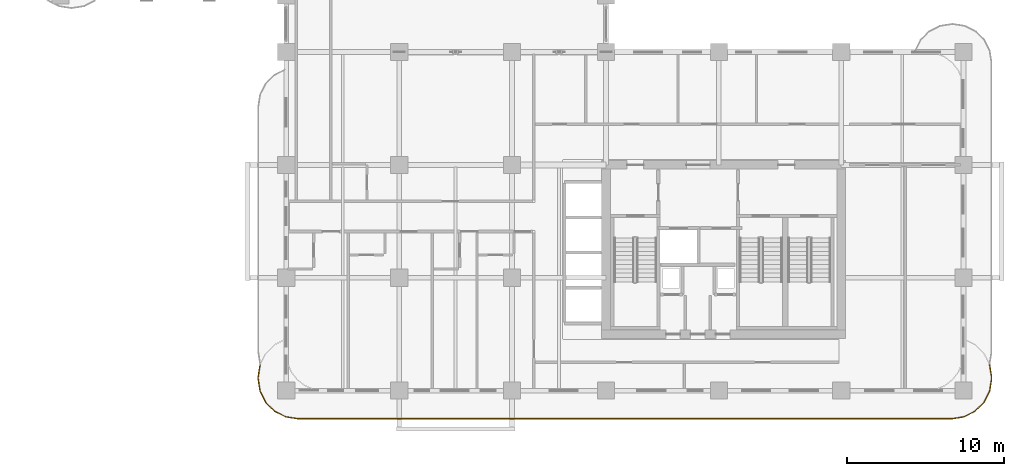
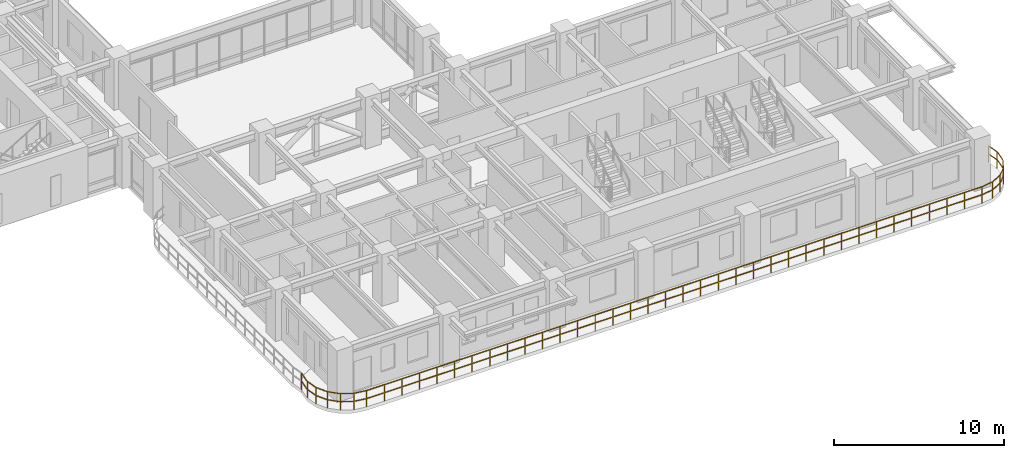
# One storey, part 18 of 21: 1 railing.
"""IFC4 building model written with IfcOpenShell, lengths in metres."""

from ifc_helpers import new_model, si_unit, derived_unit, direction, frame, origin, origin_2d, place, context, subcontext, project, spatial, rectangle, extrude, material, type_object, element, save


model = new_model("IFC4")

# Units and contexts
model_context = context("Model", 3, precision=1e-05, world=origin(), true_north=direction((0.0, 1.0)))
body_context = subcontext(model_context, "Body", "Model", "MODEL_VIEW")
ifc_project = project(units=[si_unit("LENGTHUNIT", "METRE"), si_unit("AREAUNIT", "SQUARE_METRE"), si_unit("VOLUMEUNIT", "CUBIC_METRE"), si_unit("PLANEANGLEUNIT", "RADIAN"), si_unit("MASSUNIT", "GRAM", prefix="KILO"), si_unit("THERMODYNAMICTEMPERATUREUNIT", "KELVIN"), si_unit("POWERUNIT", "WATT"), derived_unit("THERMALTRANSMITTANCEUNIT", [(si_unit("POWERUNIT", "WATT"), 1), (si_unit("AREAUNIT", "SQUARE_METRE"), -1), (si_unit("THERMODYNAMICTEMPERATUREUNIT", "KELVIN"), -1)])], contexts=[model_context])

# Site, building, storey
site_placement = place(None, origin())
site = spatial("IfcSite", under=ifc_project, at=site_placement, CompositionType="ELEMENT")
building_placement = place(site_placement, origin())
building = spatial("IfcBuilding", under=site, at=building_placement, Name="Zahravan Archway Hotel and Residences", CompositionType="ELEMENT")
storey_placement = place(building_placement, frame((0.0, 0.0, 65.699951171875)))
storey = spatial("IfcBuildingStorey", under=building, at=storey_placement, Name="L15", CompositionType="ELEMENT", Elevation=65.699951171875)

# Railing
ifc_material = material(Name="Bronze & Laminated Glass Balustrade", Category="glass")
railing_type = type_object("IfcRailingType", Name="RL-BAL-1200", PredefinedType="BALUSTRADE", material=ifc_material)
railing_placement = place(storey_placement, frame((59.275146484375, 1.637939453125, 0.0)))
element("IfcRailing", 1, at=railing_placement, inside=storey, type_object=railing_type, Name="L15 Balustrade RL-SLB-BAL-L15-SA-1", PredefinedType="BALUSTRADE", context=body_context, shape_type="SweptSolid", body=[
    extrude(rectangle(XDim=0.048095703125, YDim=0.048095703125, at=origin_2d()), frame((0.0, 0.0, 1.17578125), z_axis=(0.156402639467, -0.987693380745, 0.0), x_axis=(0.987693380745, 0.156402639467, 0.0)), (0.0, 0.0, 1.0), 0.797607421875),
    extrude(rectangle(XDim=0.048095703125, YDim=0.048095703125, at=origin_2d()), frame((0.0, 0.0, 0.60009765625), z_axis=(0.156402639467, -0.987693380745, 0.0), x_axis=(0.987693380745, 0.156402639467, 0.0)), (0.0, 0.0, 1.0), 0.797607421875),
    extrude(rectangle(XDim=0.048095703125, YDim=0.048095703125, at=origin_2d()), frame((0.124755859375, -0.787841796875, 1.17578125), z_axis=(0.0, -1.0, 0.0), x_axis=(1.0, 0.0, 0.0)), (0.0, 0.0, 1.0), 0.10009765625),
    extrude(rectangle(XDim=0.048095703125, YDim=0.048095703125, at=origin_2d()), frame((0.124755859375, -0.787841796875, 0.60009765625), z_axis=(0.0, -1.0, 0.0), x_axis=(1.0, 0.0, 0.0)), (0.0, 0.0, 1.0), 0.10009765625),
    extrude(rectangle(XDim=0.048095703125, YDim=0.048095703125, at=origin_2d()), frame((0.124755859375, -0.887939453125, 1.17578125), z_axis=(-0.156355372278, -0.987700864412, 0.0), x_axis=(0.987700864412, -0.156355372278, 0.0)), (0.0, 0.0, 1.0), 0.7978515625),
    extrude(rectangle(XDim=0.048095703125, YDim=0.048095703125, at=origin_2d()), frame((0.124755859375, -0.887939453125, 0.60009765625), z_axis=(-0.156355372278, -0.987700864412, 0.0), x_axis=(0.987700864412, -0.156355372278, 0.0)), (0.0, 0.0, 1.0), 0.7978515625),
    extrude(rectangle(XDim=0.048095703125, YDim=0.048095703125, at=origin_2d()), frame((0.0, -1.676025390625, 1.17578125), z_axis=(-0.453934952053, -0.891034824967, 0.0), x_axis=(0.891034824967, -0.453934952053, 0.0)), (0.0, 0.0, 1.0), 0.797607421875),
    extrude(rectangle(XDim=0.048095703125, YDim=0.048095703125, at=origin_2d()), frame((0.0, -1.676025390625, 0.60009765625), z_axis=(-0.453934952053, -0.891034824967, 0.0), x_axis=(0.891034824967, -0.453934952053, 0.0)), (0.0, 0.0, 1.0), 0.797607421875),
    extrude(rectangle(XDim=0.048095703125, YDim=0.048095703125, at=origin_2d()), frame((-0.362060546875, -2.38671875, 1.17578125), z_axis=(-0.707106781187, -0.707106781187, 0.0), x_axis=(0.707106781187, -0.707106781187, 0.0)), (0.0, 0.0, 1.0), 0.7978515625),
    extrude(rectangle(XDim=0.048095703125, YDim=0.048095703125, at=origin_2d()), frame((-0.362060546875, -2.38671875, 0.60009765625), z_axis=(-0.707106781187, -0.707106781187, 0.0), x_axis=(0.707106781187, -0.707106781187, 0.0)), (0.0, 0.0, 1.0), 0.7978515625),
    extrude(rectangle(XDim=0.048095703125, YDim=0.048095703125, at=origin_2d()), frame((-0.92626953125, -2.950927734375, 1.17578125), z_axis=(-0.890974108706, -0.454054113091, 0.0), x_axis=(0.454054113091, -0.890974108706, 0.0)), (0.0, 0.0, 1.0), 0.7978515625),
    extrude(rectangle(XDim=0.048095703125, YDim=0.048095703125, at=origin_2d()), frame((-0.92626953125, -2.950927734375, 0.60009765625), z_axis=(-0.890974108706, -0.454054113091, 0.0), x_axis=(0.454054113091, -0.890974108706, 0.0)), (0.0, 0.0, 1.0), 0.7978515625),
    extrude(rectangle(XDim=0.048095703125, YDim=0.048095703125, at=origin_2d()), frame((-1.63720703125, -3.313232421875, 1.17578125), z_axis=(-0.987693380745, -0.156402639467, 0.0), x_axis=(0.156402639467, -0.987693380745, 0.0)), (0.0, 0.0, 1.0), 0.797607421875),
    extrude(rectangle(XDim=0.048095703125, YDim=0.048095703125, at=origin_2d()), frame((-1.63720703125, -3.313232421875, 0.60009765625), z_axis=(-0.987693380745, -0.156402639467, 0.0), x_axis=(0.156402639467, -0.987693380745, 0.0)), (0.0, 0.0, 1.0), 0.797607421875),
    extrude(rectangle(XDim=0.048095703125, YDim=0.048095703125, at=origin_2d()), frame((-2.425048828125, -3.43798828125, 1.17578125), z_axis=(-1.0, 0.0, 0.0), x_axis=(0.0, -1.0, 0.0)), (0.0, 0.0, 1.0), 41.7001953125),
    extrude(rectangle(XDim=0.048095703125, YDim=0.048095703125, at=origin_2d()), frame((-2.425048828125, -3.43798828125, 0.60009765625), z_axis=(-1.0, 0.0, 0.0), x_axis=(0.0, -1.0, 0.0)), (0.0, 0.0, 1.0), 41.7001953125),
    extrude(rectangle(XDim=0.048095703125, YDim=0.048095703125, at=origin_2d()), frame((-44.125244140625, -3.43798828125, 1.17578125), z_axis=(-0.987693380745, 0.156402639467, 0.0), x_axis=(-0.156402639467, -0.987693380745, 0.0)), (0.0, 0.0, 1.0), 0.797607421875),
    extrude(rectangle(XDim=0.048095703125, YDim=0.048095703125, at=origin_2d()), frame((-44.125244140625, -3.43798828125, 0.60009765625), z_axis=(-0.987693380745, 0.156402639467, 0.0), x_axis=(-0.156402639467, -0.987693380745, 0.0)), (0.0, 0.0, 1.0), 0.797607421875),
    extrude(rectangle(XDim=0.048095703125, YDim=0.048095703125, at=origin_2d()), frame((-44.9130859375, -3.313232421875, 1.17578125), z_axis=(-0.890974108706, 0.454054113091, 0.0), x_axis=(-0.454054113091, -0.890974108706, 0.0)), (0.0, 0.0, 1.0), 0.7978515625),
    extrude(rectangle(XDim=0.048095703125, YDim=0.048095703125, at=origin_2d()), frame((-44.9130859375, -3.313232421875, 0.60009765625), z_axis=(-0.890974108706, 0.454054113091, 0.0), x_axis=(-0.454054113091, -0.890974108706, 0.0)), (0.0, 0.0, 1.0), 0.7978515625),
    extrude(rectangle(XDim=0.048095703125, YDim=0.048095703125, at=origin_2d()), frame((-45.6240234375, -2.950927734375, 1.17578125), z_axis=(-0.707106781187, 0.707106781187, 0.0), x_axis=(-0.707106781187, -0.707106781187, 0.0)), (0.0, 0.0, 1.0), 0.7978515625),
    extrude(rectangle(XDim=0.048095703125, YDim=0.048095703125, at=origin_2d()), frame((-45.6240234375, -2.950927734375, 0.60009765625), z_axis=(-0.707106781187, 0.707106781187, 0.0), x_axis=(-0.707106781187, -0.707106781187, 0.0)), (0.0, 0.0, 1.0), 0.7978515625),
    extrude(rectangle(XDim=0.048095703125, YDim=0.048095703125, at=origin_2d()), frame((-46.188232421875, -2.38671875, 1.17578125), z_axis=(-0.453934952053, 0.891034824967, 0.0), x_axis=(-0.891034824967, -0.453934952053, 0.0)), (0.0, 0.0, 1.0), 0.797607421875),
    extrude(rectangle(XDim=0.048095703125, YDim=0.048095703125, at=origin_2d()), frame((-46.188232421875, -2.38671875, 0.60009765625), z_axis=(-0.453934952053, 0.891034824967, 0.0), x_axis=(-0.891034824967, -0.453934952053, 0.0)), (0.0, 0.0, 1.0), 0.797607421875),
    extrude(rectangle(XDim=0.048095703125, YDim=0.048095703125, at=origin_2d()), frame((-46.55029296875, -1.676025390625, 1.17578125), z_axis=(-0.156355372278, 0.987700864412, 0.0), x_axis=(-0.987700864412, -0.156355372278, 0.0)), (0.0, 0.0, 1.0), 0.7978515625),
    extrude(rectangle(XDim=0.048095703125, YDim=0.048095703125, at=origin_2d()), frame((-46.55029296875, -1.676025390625, 0.60009765625), z_axis=(-0.156355372278, 0.987700864412, 0.0), x_axis=(-0.987700864412, -0.156355372278, 0.0)), (0.0, 0.0, 1.0), 0.7978515625),
    extrude(rectangle(XDim=0.048095703125, YDim=0.048095703125, at=origin_2d()), frame((-46.675048828125, -0.887939453125, 1.17578125), z_axis=(0.0, 1.0, 0.0), x_axis=(-1.0, 0.0, 0.0)), (0.0, 0.0, 1.0), 0.10009765625),
    extrude(rectangle(XDim=0.048095703125, YDim=0.048095703125, at=origin_2d()), frame((-46.675048828125, -0.887939453125, 0.60009765625), z_axis=(0.0, 1.0, 0.0), x_axis=(-1.0, 0.0, 0.0)), (0.0, 0.0, 1.0), 0.10009765625),
    extrude(rectangle(XDim=0.048095703125, YDim=0.048095703125, at=origin_2d()), frame((-46.675048828125, -0.787841796875, 1.17578125), z_axis=(0.156402639467, 0.987693380745, 0.0), x_axis=(-0.987693380745, 0.156402639467, 0.0)), (0.0, 0.0, 1.0), 0.797607421875),
    extrude(rectangle(XDim=0.048095703125, YDim=0.048095703125, at=origin_2d()), frame((-46.675048828125, -0.787841796875, 0.60009765625), z_axis=(0.156402639467, 0.987693380745, 0.0), x_axis=(-0.987693380745, 0.156402639467, 0.0)), (0.0, 0.0, 1.0), 0.797607421875),
    extrude(rectangle(XDim=0.0419921875, YDim=0.0419921875, at=origin_2d()), origin(), (0.0, 0.0, 1.0), 1.15185546875),
    extrude(rectangle(XDim=0.0419921875, YDim=0.0419921875, at=origin_2d()), frame((0.124755859375, -0.787841796875, 0.0)), (0.0, 0.0, 1.0), 1.15185546875),
    extrude(rectangle(XDim=0.0419921875, YDim=0.0419921875, at=origin_2d()), frame((0.0, -1.676025390625, 0.0)), (0.0, 0.0, 1.0), 1.15185546875),
    extrude(rectangle(XDim=0.0419921875, YDim=0.0419921875, at=origin_2d()), frame((-0.362060546875, -2.38671875, 0.0)), (0.0, 0.0, 1.0), 1.15185546875),
    extrude(rectangle(XDim=0.0419921875, YDim=0.0419921875, at=origin_2d()), frame((-0.92626953125, -2.950927734375, 0.0)), (0.0, 0.0, 1.0), 1.15185546875),
    extrude(rectangle(XDim=0.0419921875, YDim=0.0419921875, at=origin_2d()), frame((-1.63720703125, -3.313232421875, 0.0)), (0.0, 0.0, 1.0), 1.15185546875),
    extrude(rectangle(XDim=0.0419921875, YDim=0.0419921875, at=origin_2d()), frame((-2.425048828125, -3.43798828125, 0.0)), (0.0, 0.0, 1.0), 1.15185546875),
    extrude(rectangle(XDim=0.0419921875, YDim=0.0419921875, at=origin_2d()), frame((-3.616455078125, -3.43798828125, 0.0)), (0.0, 0.0, 1.0), 1.15185546875),
    extrude(rectangle(XDim=0.0419921875, YDim=0.0419921875, at=origin_2d()), frame((-4.807861328125, -3.43798828125, 0.0)), (0.0, 0.0, 1.0), 1.15185546875),
    extrude(rectangle(XDim=0.0419921875, YDim=0.0419921875, at=origin_2d()), frame((-5.999267578125, -3.43798828125, 0.0)), (0.0, 0.0, 1.0), 1.15185546875),
    extrude(rectangle(XDim=0.0419921875, YDim=0.0419921875, at=origin_2d()), frame((-7.190673828125, -3.43798828125, 0.0)), (0.0, 0.0, 1.0), 1.15185546875),
    extrude(rectangle(XDim=0.0419921875, YDim=0.0419921875, at=origin_2d()), frame((-8.38232421875, -3.43798828125, 0.0)), (0.0, 0.0, 1.0), 1.15185546875),
    extrude(rectangle(XDim=0.0419921875, YDim=0.0419921875, at=origin_2d()), frame((-9.57373046875, -3.43798828125, 0.0)), (0.0, 0.0, 1.0), 1.15185546875),
    extrude(rectangle(XDim=0.0419921875, YDim=0.0419921875, at=origin_2d()), frame((-10.76513671875, -3.43798828125, 0.0)), (0.0, 0.0, 1.0), 1.15185546875),
    extrude(rectangle(XDim=0.0419921875, YDim=0.0419921875, at=origin_2d()), frame((-11.95654296875, -3.43798828125, 0.0)), (0.0, 0.0, 1.0), 1.15185546875),
    extrude(rectangle(XDim=0.0419921875, YDim=0.0419921875, at=origin_2d()), frame((-13.14794921875, -3.43798828125, 0.0)), (0.0, 0.0, 1.0), 1.15185546875),
    extrude(rectangle(XDim=0.0419921875, YDim=0.0419921875, at=origin_2d()), frame((-14.33935546875, -3.43798828125, 0.0)), (0.0, 0.0, 1.0), 1.15185546875),
    extrude(rectangle(XDim=0.0419921875, YDim=0.0419921875, at=origin_2d()), frame((-15.53076171875, -3.43798828125, 0.0)), (0.0, 0.0, 1.0), 1.15185546875),
    extrude(rectangle(XDim=0.0419921875, YDim=0.0419921875, at=origin_2d()), frame((-16.72216796875, -3.43798828125, 0.0)), (0.0, 0.0, 1.0), 1.15185546875),
    extrude(rectangle(XDim=0.0419921875, YDim=0.0419921875, at=origin_2d()), frame((-17.91357421875, -3.43798828125, 0.0)), (0.0, 0.0, 1.0), 1.15185546875),
    extrude(rectangle(XDim=0.0419921875, YDim=0.0419921875, at=origin_2d()), frame((-19.105224609375, -3.43798828125, 0.0)), (0.0, 0.0, 1.0), 1.15185546875),
    extrude(rectangle(XDim=0.0419921875, YDim=0.0419921875, at=origin_2d()), frame((-20.296630859375, -3.43798828125, 0.0)), (0.0, 0.0, 1.0), 1.15185546875),
    extrude(rectangle(XDim=0.0419921875, YDim=0.0419921875, at=origin_2d()), frame((-21.488037109375, -3.43798828125, 0.0)), (0.0, 0.0, 1.0), 1.15185546875),
    extrude(rectangle(XDim=0.0419921875, YDim=0.0419921875, at=origin_2d()), frame((-22.679443359375, -3.43798828125, 0.0)), (0.0, 0.0, 1.0), 1.15185546875),
    extrude(rectangle(XDim=0.0419921875, YDim=0.0419921875, at=origin_2d()), frame((-23.870849609375, -3.43798828125, 0.0)), (0.0, 0.0, 1.0), 1.15185546875),
    extrude(rectangle(XDim=0.0419921875, YDim=0.0419921875, at=origin_2d()), frame((-25.062255859375, -3.43798828125, 0.0)), (0.0, 0.0, 1.0), 1.15185546875),
    extrude(rectangle(XDim=0.0419921875, YDim=0.0419921875, at=origin_2d()), frame((-26.253662109375, -3.43798828125, 0.0)), (0.0, 0.0, 1.0), 1.15185546875),
    extrude(rectangle(XDim=0.0419921875, YDim=0.0419921875, at=origin_2d()), frame((-27.445068359375, -3.43798828125, 0.0)), (0.0, 0.0, 1.0), 1.15185546875),
    extrude(rectangle(XDim=0.0419921875, YDim=0.0419921875, at=origin_2d()), frame((-28.63671875, -3.43798828125, 0.0)), (0.0, 0.0, 1.0), 1.15185546875),
    extrude(rectangle(XDim=0.0419921875, YDim=0.0419921875, at=origin_2d()), frame((-29.828125, -3.43798828125, 0.0)), (0.0, 0.0, 1.0), 1.15185546875),
    extrude(rectangle(XDim=0.0419921875, YDim=0.0419921875, at=origin_2d()), frame((-31.01953125, -3.43798828125, 0.0)), (0.0, 0.0, 1.0), 1.15185546875),
    extrude(rectangle(XDim=0.0419921875, YDim=0.0419921875, at=origin_2d()), frame((-32.2109375, -3.43798828125, 0.0)), (0.0, 0.0, 1.0), 1.15185546875),
    extrude(rectangle(XDim=0.0419921875, YDim=0.0419921875, at=origin_2d()), frame((-33.40234375, -3.43798828125, 0.0)), (0.0, 0.0, 1.0), 1.15185546875),
    extrude(rectangle(XDim=0.0419921875, YDim=0.0419921875, at=origin_2d()), frame((-34.59375, -3.43798828125, 0.0)), (0.0, 0.0, 1.0), 1.15185546875),
    extrude(rectangle(XDim=0.0419921875, YDim=0.0419921875, at=origin_2d()), frame((-35.78515625, -3.43798828125, 0.0)), (0.0, 0.0, 1.0), 1.15185546875),
    extrude(rectangle(XDim=0.0419921875, YDim=0.0419921875, at=origin_2d()), frame((-36.9765625, -3.43798828125, 0.0)), (0.0, 0.0, 1.0), 1.15185546875),
    extrude(rectangle(XDim=0.0419921875, YDim=0.0419921875, at=origin_2d()), frame((-38.16796875, -3.43798828125, 0.0)), (0.0, 0.0, 1.0), 1.15185546875),
    extrude(rectangle(XDim=0.0419921875, YDim=0.0419921875, at=origin_2d()), frame((-39.359619140625, -3.43798828125, 0.0)), (0.0, 0.0, 1.0), 1.15185546875),
    extrude(rectangle(XDim=0.0419921875, YDim=0.0419921875, at=origin_2d()), frame((-40.551025390625, -3.43798828125, 0.0)), (0.0, 0.0, 1.0), 1.15185546875),
    extrude(rectangle(XDim=0.0419921875, YDim=0.0419921875, at=origin_2d()), frame((-41.742431640625, -3.43798828125, 0.0)), (0.0, 0.0, 1.0), 1.15185546875),
    extrude(rectangle(XDim=0.0419921875, YDim=0.0419921875, at=origin_2d()), frame((-42.933837890625, -3.43798828125, 0.0)), (0.0, 0.0, 1.0), 1.15185546875),
    extrude(rectangle(XDim=0.0419921875, YDim=0.0419921875, at=origin_2d()), frame((-44.125244140625, -3.43798828125, 0.0)), (0.0, 0.0, 1.0), 1.15185546875),
    extrude(rectangle(XDim=0.0419921875, YDim=0.0419921875, at=origin_2d()), frame((-44.9130859375, -3.313232421875, 0.0)), (0.0, 0.0, 1.0), 1.15185546875),
    extrude(rectangle(XDim=0.0419921875, YDim=0.0419921875, at=origin_2d()), frame((-45.6240234375, -2.950927734375, 0.0)), (0.0, 0.0, 1.0), 1.15185546875),
    extrude(rectangle(XDim=0.0419921875, YDim=0.0419921875, at=origin_2d()), frame((-46.188232421875, -2.38671875, 0.0)), (0.0, 0.0, 1.0), 1.15185546875),
    extrude(rectangle(XDim=0.0419921875, YDim=0.0419921875, at=origin_2d()), frame((-46.55029296875, -1.676025390625, 0.0)), (0.0, 0.0, 1.0), 1.15185546875),
    extrude(rectangle(XDim=0.0419921875, YDim=0.0419921875, at=origin_2d()), frame((-46.675048828125, -0.887939453125, 0.0)), (0.0, 0.0, 1.0), 1.15185546875),
    extrude(rectangle(XDim=0.0419921875, YDim=0.0419921875, at=origin_2d()), frame((-46.55029296875, 0.0, 0.0)), (0.0, 0.0, 1.0), 1.15185546875),
])

save(model, "model.ifc")
